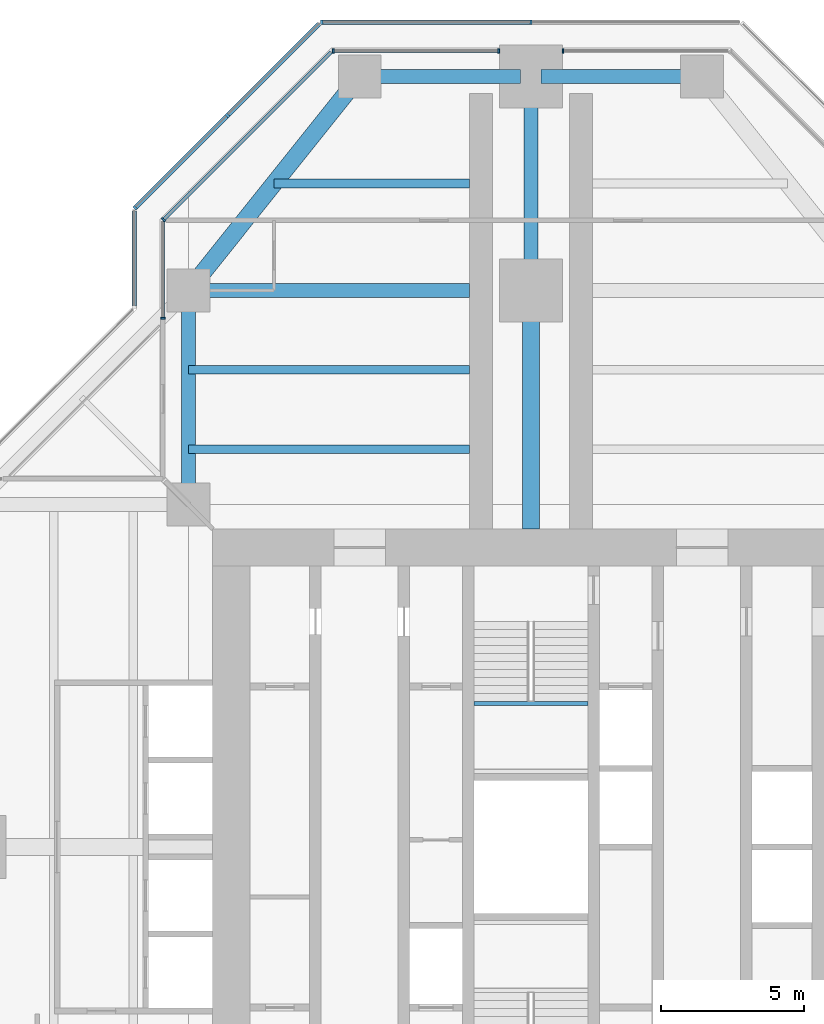
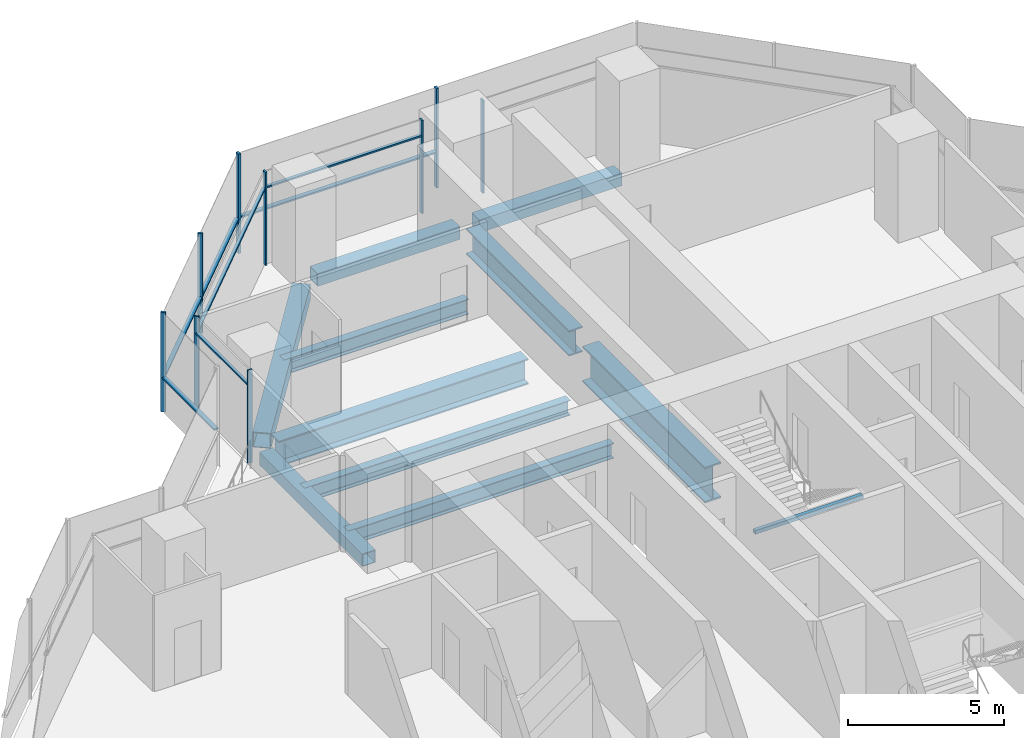
# One storey, part 7 of 17: 16 members, 11 beams, 7 elements without a shape of their own.
"""IFC4 building model written with IfcOpenShell, lengths in metres."""

from ifc_helpers import new_model, si_unit, direction, frame, origin, origin_2d, place, context, subcontext, project, spatial, rectangle, hollow_rectangle, i_section, extrude, material, material_profile, profile_set, type_object, element, aggregate, save


model = new_model("IFC4")

# Units and contexts
model_context = context("Model", 3, precision=1e-05, world=origin(), true_north=direction((0.0, 1.0)))
body_context = subcontext(model_context, "Body", "Model", "MODEL_VIEW")
ifc_project = project(units=[si_unit("LENGTHUNIT", "METRE"), si_unit("AREAUNIT", "SQUARE_METRE"), si_unit("VOLUMEUNIT", "CUBIC_METRE"), si_unit("PLANEANGLEUNIT", "RADIAN"), si_unit("MASSUNIT", "GRAM", prefix="KILO")], contexts=[model_context])

# Site, building, storey
site_placement = place(None, origin())
site = spatial("IfcSite", under=ifc_project, at=site_placement, CompositionType="ELEMENT")
building_placement = place(site_placement, origin())
building = spatial("IfcBuilding", under=site, at=building_placement, Name="Mizan Broadcast Tower", CompositionType="ELEMENT")
storey_placement = place(building_placement, frame((0.0, 0.0, 263.39990234375)))
storey = spatial("IfcBuildingStorey", under=building, at=storey_placement, Name="L62", CompositionType="ELEMENT", Elevation=263.39990234375)

# Beams
ifc_material_1 = material(Name="Steel S355", Category="steel")
ifc_material_profile_1 = material_profile(ifc_material_1, hollow_rectangle(XDim=0.5, YDim=0.5, WallThickness=0.030029296875, at=origin_2d()), Name="BOX 500x500x30")
ifc_profile_set_1 = profile_set([ifc_material_profile_1], Name="Steel S355")
beam_type_1 = type_object("IfcBeamType", Name="EDGE BEAM BOX 500x500x30", PredefinedType="SPANDREL", material=ifc_profile_set_1)
beam_1_placement = place(storey_placement, frame((5.639892578125, 27.0, -0.3798828125), z_axis=(-1.0, 0.0, 0.0), x_axis=(0.0, -1.0, 0.0)))
element("IfcBeam", 1, at=beam_1_placement, inside=storey, type_object=beam_type_1, Name="Edge beam BOX 500x500x30 L62 north arm", PredefinedType="SPANDREL", context=body_context, shape_type="SweptSolid", body=[
    extrude(hollow_rectangle(XDim=0.5, YDim=0.5, WallThickness=0.030029296875, at=origin_2d()), origin(), (0.0, 0.0, 1.0), 5.27978515625),
])
beam_2_placement = place(storey_placement, frame((-12.0, 12.449951171875, -0.3798828125), z_axis=(0.0, 1.0, 0.0), x_axis=(-1.0, 0.0, 0.0)))
element("IfcBeam", 2, at=beam_2_placement, inside=storey, type_object=beam_type_1, Name="Edge beam BOX 500x500x30 L62 north arm", PredefinedType="SPANDREL", context=body_context, shape_type="SweptSolid", body=[
    extrude(hollow_rectangle(XDim=0.5, YDim=0.5, WallThickness=0.030029296875, at=origin_2d()), origin(), (0.0, 0.0, 1.0), 6.60009765625),
])
beam_3_placement = place(storey_placement, frame((-5.639892578125, 27.0, -0.3798828125), z_axis=(1.0, 0.0, 0.0), x_axis=(0.0, 1.0, 0.0)))
element("IfcBeam", 3, at=beam_3_placement, inside=storey, type_object=beam_type_1, Name="Edge beam BOX 500x500x30 L62 north arm", PredefinedType="SPANDREL", context=body_context, shape_type="SweptSolid", body=[
    extrude(hollow_rectangle(XDim=0.5, YDim=0.5, WallThickness=0.030029296875, at=origin_2d()), origin(), (0.0, 0.0, 1.0), 5.27978515625),
])
ifc_material_2 = material(Name="Steel S355", Category="steel")
ifc_material_profile_2 = material_profile(ifc_material_2, hollow_rectangle(XDim=0.60009765625, YDim=0.60009765625, WallThickness=0.030029296875, at=origin_2d()), Name="BOX 600x600x30")
ifc_profile_set_2 = profile_set([ifc_material_profile_2], Name="Steel S355")
beam_type_2 = type_object("IfcBeamType", Name="EDGE BEAM BOX 600x600x30", PredefinedType="SPANDREL", material=ifc_profile_set_2)
beam_4_placement = place(storey_placement, frame((-11.639892578125, 19.949951171875, -0.429931640625), z_axis=(0.624673911726, 0.780885717636, 0.0), x_axis=(-0.780885717636, 0.624673911726, 0.0)))
element("IfcBeam", 4, at=beam_4_placement, inside=storey, type_object=beam_type_2, Name="Edge beam BOX 600x600x30 L62 north arm", PredefinedType="SPANDREL", context=body_context, shape_type="SweptSolid", body=[
    extrude(hollow_rectangle(XDim=0.60009765625, YDim=0.60009765625, WallThickness=0.030029296875, at=origin_2d()), origin(), (0.0, 0.0, 1.0), 8.4521484375),
])
ifc_material_3 = material(Name="Steel S460", Category="steel")
ifc_material_profile_3 = material_profile(ifc_material_3, i_section(OverallWidth=0.5, OverallDepth=1.0, WebThickness=0.02490234375, FlangeThickness=0.050048828125, at=origin_2d()), Name="WPG 1000x500")
ifc_profile_set_3 = profile_set([ifc_material_profile_3], Name="Steel S460")
beam_type_3 = type_object("IfcBeamType", Name="GIRDER WPG 1000x500", PredefinedType="BEAM", material=ifc_profile_set_3)
beam_5_placement = place(storey_placement, frame((0.0, 19.949951171875, -0.6298828125), z_axis=(0.0, 1.0, 0.0), x_axis=(-1.0, 0.0, 0.0)))
element("IfcBeam", 5, at=beam_5_placement, inside=storey, type_object=beam_type_3, Name="Girder WPG 1000x500 L62 north arm", PredefinedType="BEAM", context=body_context, shape_type="SweptSolid", body=[
    extrude(i_section(OverallWidth=0.5, OverallDepth=1.0, WebThickness=0.02490234375, FlangeThickness=0.050048828125, at=origin_2d()), origin(), (0.0, 0.0, 1.0), 6.60009765625),
])
beam_6_placement = place(storey_placement, frame((-11.408935546875, 19.5, -0.6298828125), z_axis=(1.0, 0.0, 0.0), x_axis=(0.0, 1.0, 0.0)))
element("IfcBeam", 6, at=beam_6_placement, inside=storey, type_object=beam_type_3, Name="Girder WPG 1000x500 L62 north arm", PredefinedType="BEAM", context=body_context, shape_type="SweptSolid", body=[
    extrude(i_section(OverallWidth=0.5, OverallDepth=1.0, WebThickness=0.02490234375, FlangeThickness=0.050048828125, at=origin_2d()), origin(), (0.0, 0.0, 1.0), 9.259033203125),
])
ifc_material_4 = material(Name="Steel S460", Category="steel")
ifc_material_profile_4 = material_profile(ifc_material_4, i_section(OverallWidth=0.60009765625, OverallDepth=1.39990234375, WebThickness=0.02490234375, FlangeThickness=0.06005859375, at=origin_2d()), Name="WPG 1400x600")
ifc_profile_set_4 = profile_set([ifc_material_profile_4], Name="Steel S460")
beam_type_4 = type_object("IfcBeamType", Name="GIRDER WPG 1400x600", PredefinedType="BEAM", material=ifc_profile_set_4)
beam_7_placement = place(storey_placement, frame((0.0, 11.14990234375, -0.829833984375), z_axis=(0.0, 1.0, 0.0), x_axis=(-1.0, 0.0, 0.0)))
element("IfcBeam", 7, at=beam_7_placement, inside=storey, type_object=beam_type_4, Name="Girder WPG 1400x600 L62 north arm", PredefinedType="BEAM", context=body_context, shape_type="SweptSolid", body=[
    extrude(i_section(OverallWidth=0.60009765625, OverallDepth=1.39990234375, WebThickness=0.02490234375, FlangeThickness=0.06005859375, at=origin_2d()), origin(), (0.0, 0.0, 1.0), 7.84912109375),
])

# Curtain wall, member
ifc_material_5 = material(Name="Aluminium framed glazing", Category="aluminium")
curtain_wall_type_1 = type_object("IfcCurtainWallType", Name="INNER SKIN HIGH ZONE", PredefinedType="USERDEFINED", material=ifc_material_5)
curtain_wall_1_placement = place(storey_placement, origin())
curtain_wall_1 = element("IfcCurtainWall", 8, at=curtain_wall_1_placement, inside=storey, type_object=curtain_wall_type_1, Name="Inner skin high zone L62 N end", ObjectType="INNER SKIN HIGH ZONE", PredefinedType="USERDEFINED")
ifc_material_6 = material(Name="Aluminium, pale anodised", Category="aluminium")
ifc_material_profile_5 = material_profile(ifc_material_6, rectangle(XDim=0.159912109375, YDim=0.06005859375, at=origin_2d()), Name="MULLION 160x60")
ifc_profile_set_5 = profile_set([ifc_material_profile_5], Name="Aluminium, pale anodised")
member_type_1 = type_object("IfcMemberType", Name="INNER SKIN MULLION 60x160", PredefinedType="MULLION", material=ifc_profile_set_5)
member_1_placement = place(storey_placement, frame((1.1298828125, 27.89990234375, 0.0), z_axis=(0.0, 0.0, 1.0), x_axis=(0.0, -1.0, 0.0)))
member_1 = element("IfcMember", 9, at=member_1_placement, type_object=member_type_1, Name="Inner skin high zone L62 N end mullion 2", PredefinedType="MULLION", context=body_context, shape_type="SweptSolid", body=[
    extrude(rectangle(XDim=0.159912109375, YDim=0.06005859375, at=origin_2d()), origin(), (0.0, 0.0, 1.0), 3.650146484375),
])
aggregate(curtain_wall_1, [member_1])

# Curtain wall, members
curtain_wall_2_placement = place(storey_placement, origin())
curtain_wall_2 = element("IfcCurtainWall", 10, at=curtain_wall_2_placement, inside=storey, type_object=curtain_wall_type_1, Name="Inner skin high zone L62 N end", ObjectType="INNER SKIN HIGH ZONE", PredefinedType="USERDEFINED")
member_2_placement = place(storey_placement, frame((-1.1298828125, 27.89990234375, 0.0), z_axis=(0.0, 0.0, 1.0), x_axis=(0.0, -1.0, 0.0)))
member_2 = element("IfcMember", 11, at=member_2_placement, type_object=member_type_1, Name="Inner skin high zone L62 N end mullion 1", PredefinedType="MULLION", context=body_context, shape_type="SweptSolid", body=[
    extrude(rectangle(XDim=0.159912109375, YDim=0.06005859375, at=origin_2d()), origin(), (0.0, 0.0, 1.0), 3.650146484375),
])
member_3_placement = place(storey_placement, frame((-6.928466796875, 27.89990234375, 0.0), z_axis=(0.0, 0.0, 1.0), x_axis=(0.0, -1.0, 0.0)))
member_3 = element("IfcMember", 12, at=member_3_placement, type_object=member_type_1, Name="Inner skin high zone L62 N end mullion 2", PredefinedType="MULLION", context=body_context, shape_type="SweptSolid", body=[
    extrude(rectangle(XDim=0.159912109375, YDim=0.06005859375, at=origin_2d()), origin(), (0.0, 0.0, 1.0), 3.650146484375),
])

# Curtain wall, member
curtain_wall_3_placement = place(storey_placement, origin())
curtain_wall_3 = element("IfcCurtainWall", 13, at=curtain_wall_3_placement, inside=storey, type_object=curtain_wall_type_1, Name="Inner skin high zone L62 N chamfer", ObjectType="INNER SKIN HIGH ZONE", PredefinedType="USERDEFINED")
member_4_placement = place(storey_placement, frame((-12.87890625, 21.979736328125, 0.0), z_axis=(0.0, 0.0, 1.0), x_axis=(0.707106781187, -0.707106781187, 0.0)))
member_4 = element("IfcMember", 14, at=member_4_placement, type_object=member_type_1, Name="Inner skin high zone L62 N chamfer mullion 2", PredefinedType="MULLION", context=body_context, shape_type="SweptSolid", body=[
    extrude(rectangle(XDim=0.159912109375, YDim=0.06005859375, at=origin_2d()), origin(), (0.0, 0.0, 1.0), 3.650146484375),
])

curtain_wall_4_placement = place(storey_placement, origin())
curtain_wall_4 = element("IfcCurtainWall", 15, at=curtain_wall_4_placement, inside=storey, type_object=curtain_wall_type_1, Name="Inner skin high zone L62 N side", ObjectType="INNER SKIN HIGH ZONE", PredefinedType="USERDEFINED")
member_5_placement = place(storey_placement, frame((-12.89990234375, 18.530029296875, 0.0), z_axis=(0.0, 0.0, 1.0), x_axis=(1.0, 0.0, 0.0)))
member_5 = element("IfcMember", 16, at=member_5_placement, type_object=member_type_1, Name="Inner skin high zone L62 N side mullion 2", PredefinedType="MULLION", context=body_context, shape_type="SweptSolid", body=[
    extrude(rectangle(XDim=0.159912109375, YDim=0.06005859375, at=origin_2d()), origin(), (0.0, 0.0, 1.0), 3.650146484375),
])

# Member
ifc_material_7 = material(Name="Aluminium, pale anodised", Category="aluminium")
ifc_material_profile_6 = material_profile(ifc_material_7, rectangle(XDim=0.1201171875, YDim=0.06005859375, at=origin_2d()), Name="TRANSOM 120x60")
ifc_profile_set_6 = profile_set([ifc_material_profile_6], Name="Aluminium, pale anodised")
member_type_2 = type_object("IfcMemberType", Name="INNER SKIN TRANSOM 60x120", PredefinedType="USERDEFINED", material=ifc_profile_set_6)
member_6_placement = place(storey_placement, frame((-1.159912109375, 27.89990234375, 3.030029296875), z_axis=(-1.0, 0.0, 0.0), x_axis=(0.0, -1.0, 0.0)))
member_6 = element("IfcMember", 17, at=member_6_placement, type_object=member_type_2, Name="Inner skin high zone L62 N end transom 1.1", ObjectType="TRANSOM", PredefinedType="USERDEFINED", context=body_context, shape_type="SweptSolid", body=[
    extrude(rectangle(XDim=0.1201171875, YDim=0.06005859375, at=origin_2d()), origin(), (0.0, 0.0, 1.0), 5.73876953125),
])

aggregate(curtain_wall_2, [member_2, member_3, member_6])

member_7_placement = place(storey_placement, frame((-7.0009765625, 27.857666015625, 3.030029296875), z_axis=(-0.707106781187, -0.707106781187, 0.0), x_axis=(0.707106781187, -0.707106781187, 0.0)))
member_7 = element("IfcMember", 18, at=member_7_placement, type_object=member_type_2, Name="Inner skin high zone L62 N chamfer transom 1.1", ObjectType="TRANSOM", PredefinedType="USERDEFINED", context=body_context, shape_type="SweptSolid", body=[
    extrude(rectangle(XDim=0.1201171875, YDim=0.06005859375, at=origin_2d()), origin(), (0.0, 0.0, 1.0), 8.28271484375),
])

aggregate(curtain_wall_3, [member_4, member_7])

member_8_placement = place(storey_placement, frame((-12.89990234375, 21.898681640625, 3.030029296875), z_axis=(0.0, -1.0, 0.0), x_axis=(1.0, 0.0, 0.0)))
member_8 = element("IfcMember", 19, at=member_8_placement, type_object=member_type_2, Name="Inner skin high zone L62 N side transom 1.1", ObjectType="TRANSOM", PredefinedType="USERDEFINED", context=body_context, shape_type="SweptSolid", body=[
    extrude(rectangle(XDim=0.1201171875, YDim=0.06005859375, at=origin_2d()), origin(), (0.0, 0.0, 1.0), 3.338623046875),
])

aggregate(curtain_wall_4, [member_5, member_8])

# Beam
ifc_material_8 = material(Name="Steel S355", Category="steel")
ifc_material_profile_7 = material_profile(ifc_material_8, hollow_rectangle(XDim=0.14990234375, YDim=0.14990234375, WallThickness=0.008056640625, InnerFilletRadius=0.008056640625, OuterFilletRadius=0.011962890625, at=origin_2d()), Name="SHS 150x150x8")
ifc_profile_set_7 = profile_set([ifc_material_profile_7], Name="Steel S355")
beam_type_5 = type_object("IfcBeamType", Name="LANDING TRIMMER SHS 150x150x8", PredefinedType="BEAM", material=ifc_profile_set_7)
beam_8_placement = place(storey_placement, frame((2.0, 5.02490234375, 1.675048828125), z_axis=(-1.0, 0.0, 0.0), x_axis=(0.0, -1.0, 0.0)))
element("IfcBeam", 20, at=beam_8_placement, inside=storey, type_object=beam_type_5, Name="Stair B landing trimmer L62", PredefinedType="BEAM", context=body_context, shape_type="SweptSolid", body=[
    extrude(hollow_rectangle(XDim=0.14990234375, YDim=0.14990234375, WallThickness=0.008056640625, InnerFilletRadius=0.008056640625, OuterFilletRadius=0.011962890625, at=origin_2d()), origin(), (0.0, 0.0, 1.0), 4.0),
])

# Curtain wall, members
ifc_material_9 = material(Name="Aluminium framed glazing", Category="aluminium")
curtain_wall_type_2 = type_object("IfcCurtainWallType", Name="OUTER SKIN", PredefinedType="USERDEFINED", material=ifc_material_9)
curtain_wall_5_placement = place(storey_placement, origin())
curtain_wall_5 = element("IfcCurtainWall", 21, at=curtain_wall_5_placement, inside=storey, type_object=curtain_wall_type_2, Name="Outer skin L62 N end", ObjectType="OUTER SKIN", PredefinedType="USERDEFINED")
ifc_material_10 = material(Name="Aluminium, pale anodised", Category="aluminium")
ifc_material_profile_8 = material_profile(ifc_material_10, rectangle(XDim=0.159912109375, YDim=0.080078125, at=origin_2d()), Name="MULLION 160x80")
ifc_profile_set_8 = profile_set([ifc_material_profile_8], Name="Aluminium, pale anodised")
member_type_3 = type_object("IfcMemberType", Name="OUTER SKIN MULLION 80x160", PredefinedType="MULLION", material=ifc_profile_set_8)
member_9_placement = place(storey_placement, frame((0.0, 28.89990234375, 0.0), z_axis=(0.0, 0.0, 1.0), x_axis=(0.0, -1.0, 0.0)))
member_9 = element("IfcMember", 22, at=member_9_placement, type_object=member_type_3, Name="Outer skin L62 N end mullion 2", PredefinedType="MULLION", context=body_context, shape_type="SweptSolid", body=[
    extrude(rectangle(XDim=0.159912109375, YDim=0.080078125, at=origin_2d()), origin(), (0.0, 0.0, 1.0), 3.900146484375),
])
member_10_placement = place(storey_placement, frame((-7.332763671875, 28.89990234375, 0.0), z_axis=(0.0, 0.0, 1.0), x_axis=(0.0, -1.0, 0.0)))
member_10 = element("IfcMember", 23, at=member_10_placement, type_object=member_type_3, Name="Outer skin L62 N end mullion 3", PredefinedType="MULLION", context=body_context, shape_type="SweptSolid", body=[
    extrude(rectangle(XDim=0.159912109375, YDim=0.080078125, at=origin_2d()), origin(), (0.0, 0.0, 1.0), 3.900146484375),
])

curtain_wall_6_placement = place(storey_placement, origin())
curtain_wall_6 = element("IfcCurtainWall", 24, at=curtain_wall_6_placement, inside=storey, type_object=curtain_wall_type_2, Name="Outer skin L62 N chamfer", ObjectType="OUTER SKIN", PredefinedType="USERDEFINED")
member_11_placement = place(storey_placement, frame((-10.636474609375, 25.636474609375, 0.0), z_axis=(0.0, 0.0, 1.0), x_axis=(0.707106781187, -0.707106781187, 0.0)))
member_11 = element("IfcMember", 25, at=member_11_placement, type_object=member_type_3, Name="Outer skin L62 N chamfer mullion 2", PredefinedType="MULLION", context=body_context, shape_type="SweptSolid", body=[
    extrude(rectangle(XDim=0.159912109375, YDim=0.080078125, at=origin_2d()), origin(), (0.0, 0.0, 1.0), 3.900146484375),
])
member_12_placement = place(storey_placement, frame((-13.871826171875, 22.401123046875, 0.0), z_axis=(0.0, 0.0, 1.0), x_axis=(0.707106781187, -0.707106781187, 0.0)))
member_12 = element("IfcMember", 26, at=member_12_placement, type_object=member_type_3, Name="Outer skin L62 N chamfer mullion 3", PredefinedType="MULLION", context=body_context, shape_type="SweptSolid", body=[
    extrude(rectangle(XDim=0.159912109375, YDim=0.080078125, at=origin_2d()), origin(), (0.0, 0.0, 1.0), 3.900146484375),
])

# Member
ifc_material_11 = material(Name="Aluminium, pale anodised", Category="aluminium")
ifc_material_profile_9 = material_profile(ifc_material_11, rectangle(XDim=0.159912109375, YDim=0.06005859375, at=origin_2d()), Name="TRANSOM 160x60")
ifc_profile_set_9 = profile_set([ifc_material_profile_9], Name="Aluminium, pale anodised")
member_type_4 = type_object("IfcMemberType", Name="OUTER SKIN TRANSOM 60x160", PredefinedType="USERDEFINED", material=ifc_profile_set_9)
member_13_placement = place(storey_placement, frame((-0.0400390625, 28.89990234375, 1.400146484375), z_axis=(-1.0, 0.0, 0.0), x_axis=(0.0, -1.0, 0.0)))
member_13 = element("IfcMember", 27, at=member_13_placement, type_object=member_type_4, Name="Outer skin L62 N end transom 2.1", ObjectType="TRANSOM", PredefinedType="USERDEFINED", context=body_context, shape_type="SweptSolid", body=[
    extrude(rectangle(XDim=0.159912109375, YDim=0.06005859375, at=origin_2d()), origin(), (0.0, 0.0, 1.0), 7.252685546875),
])

aggregate(curtain_wall_5, [member_9, member_10, member_13])

member_14_placement = place(storey_placement, frame((-7.429443359375, 28.843505859375, 1.400146484375), z_axis=(-0.707106781187, -0.707106781187, 0.0), x_axis=(0.707106781187, -0.707106781187, 0.0)))
member_14 = element("IfcMember", 28, at=member_14_placement, type_object=member_type_4, Name="Outer skin L62 N chamfer transom 1.1", ObjectType="TRANSOM", PredefinedType="USERDEFINED", context=body_context, shape_type="SweptSolid", body=[
    extrude(rectangle(XDim=0.159912109375, YDim=0.06005859375, at=origin_2d()), origin(), (0.0, 0.0, 1.0), 4.495361328125),
])

member_15_placement = place(storey_placement, frame((-10.664794921875, 25.608154296875, 1.400146484375), z_axis=(-0.707106781187, -0.707106781187, 0.0), x_axis=(0.707106781187, -0.707106781187, 0.0)))
member_15 = element("IfcMember", 29, at=member_15_placement, type_object=member_type_4, Name="Outer skin L62 N chamfer transom 2.1", ObjectType="TRANSOM", PredefinedType="USERDEFINED", context=body_context, shape_type="SweptSolid", body=[
    extrude(rectangle(XDim=0.159912109375, YDim=0.06005859375, at=origin_2d()), origin(), (0.0, 0.0, 1.0), 4.495361328125),
])

aggregate(curtain_wall_6, [member_11, member_12, member_14, member_15])

# Curtain wall, member
curtain_wall_7_placement = place(storey_placement, origin())
curtain_wall_7 = element("IfcCurtainWall", 30, at=curtain_wall_7_placement, inside=storey, type_object=curtain_wall_type_2, Name="Outer skin L62 N side", ObjectType="OUTER SKIN", PredefinedType="USERDEFINED")
member_16_placement = place(storey_placement, frame((-13.89990234375, 22.292724609375, 1.400146484375), z_axis=(0.0, -1.0, 0.0), x_axis=(1.0, 0.0, 0.0)))
member_16 = element("IfcMember", 31, at=member_16_placement, type_object=member_type_4, Name="Outer skin L62 N side transom 1.1", ObjectType="TRANSOM", PredefinedType="USERDEFINED", context=body_context, shape_type="SweptSolid", body=[
    extrude(rectangle(XDim=0.159912109375, YDim=0.06005859375, at=origin_2d()), origin(), (0.0, 0.0, 1.0), 3.33984375),
])
aggregate(curtain_wall_7, [member_16])

# Beams
ifc_material_12 = material(Name="Steel S355", Category="steel")
ifc_material_profile_10 = material_profile(ifc_material_12, i_section(OverallWidth=0.300048828125, OverallDepth=0.590087890625, WebThickness=0.012939453125, FlangeThickness=0.02490234375, FilletRadius=0.027099609375, at=origin_2d()), Name="HEA 600")
ifc_profile_set_10 = profile_set([ifc_material_profile_10], Name="Steel S355")
beam_type_6 = type_object("IfcBeamType", Name="SECONDARY BEAM HEA 600", PredefinedType="JOIST", material=ifc_profile_set_10)
for number, where, z_axis, x_axis, name in (
    (32, (-12.0, 13.933349609375, -0.4248046875), (1.0, 0.0, 0.0), (0.0, 1.0, 0.0), "Secondary beam HEA 600 L62 north arm"),
    (33, (-12.0, 16.716552734375, -0.4248046875), (1.0, 0.0, 0.0), (0.0, 1.0, 0.0), "Secondary beam HEA 600 L62 north arm"),
):
    element("IfcBeam", number, at=place(storey_placement, frame(where, z_axis=z_axis, x_axis=x_axis)), inside=storey, type_object=beam_type_6, Name=name, PredefinedType="JOIST", context=body_context, shape_type="SweptSolid", body=[
        extrude(i_section(OverallWidth=0.300048828125, OverallDepth=0.590087890625, WebThickness=0.012939453125, FlangeThickness=0.02490234375, FilletRadius=0.027099609375, at=origin_2d()), origin(), (0.0, 0.0, 1.0), 9.85009765625),
    ])
beam_9_placement = place(storey_placement, frame((-9.0, 23.25, -0.4248046875), z_axis=(1.0, 0.0, 0.0), x_axis=(0.0, 1.0, 0.0)))
element("IfcBeam", 34, at=beam_9_placement, inside=storey, type_object=beam_type_6, Name="Secondary beam HEA 600 L62 north arm", PredefinedType="JOIST", context=body_context, shape_type="SweptSolid", body=[
    extrude(i_section(OverallWidth=0.300048828125, OverallDepth=0.590087890625, WebThickness=0.012939453125, FlangeThickness=0.02490234375, FilletRadius=0.027099609375, at=origin_2d()), origin(), (0.0, 0.0, 1.0), 6.85009765625),
])

save(model, "model.ifc")
